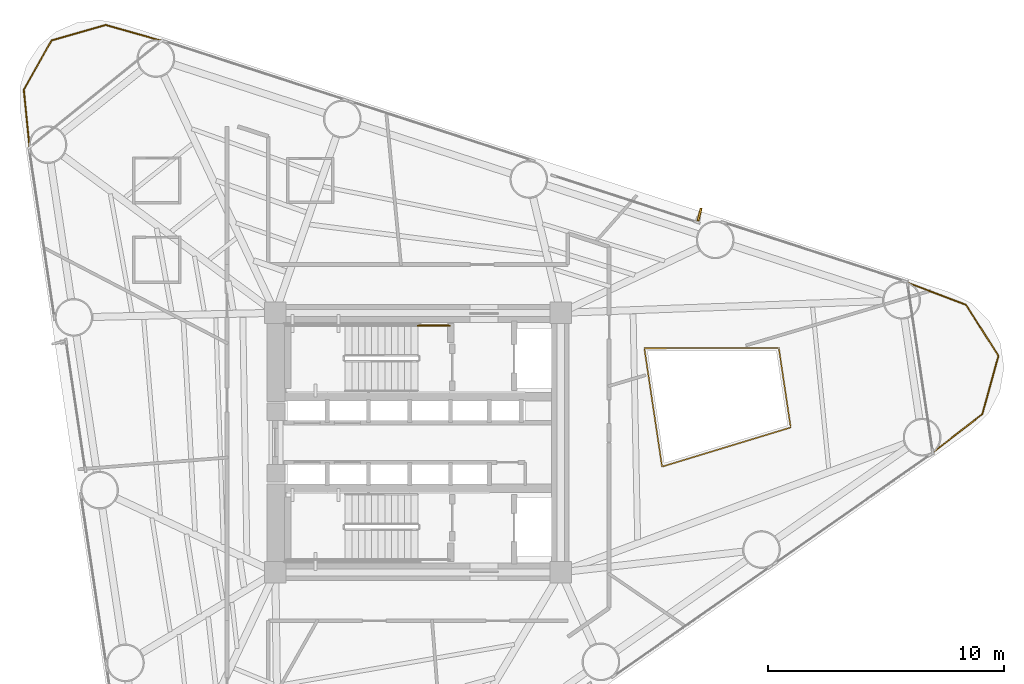
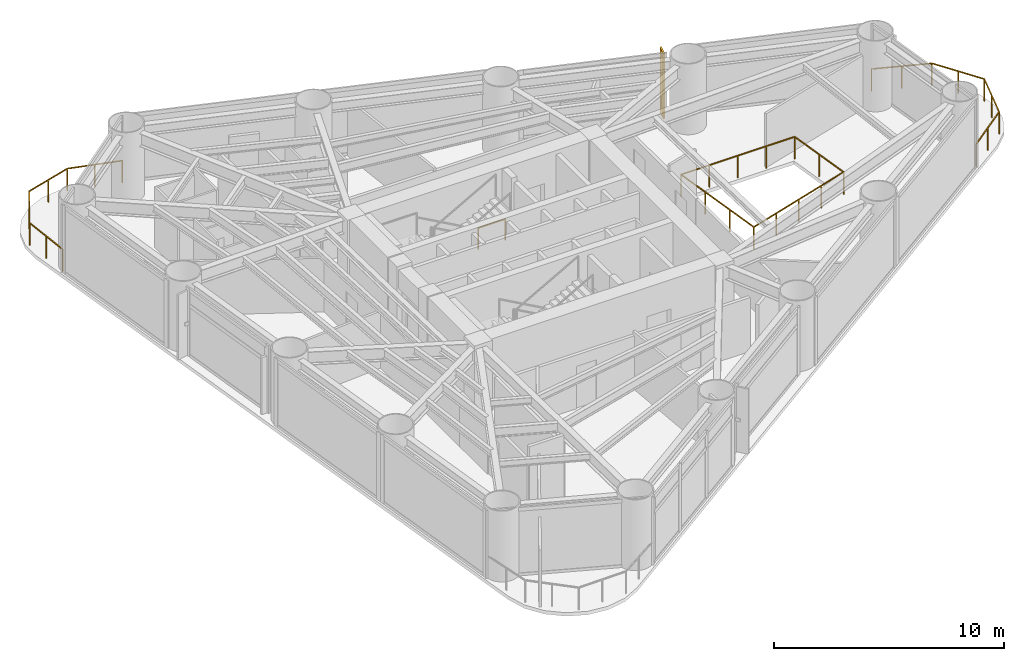
# One storey, part 9 of 9: 4 railings, 1 shading device.
"""IFC4 building model written with IfcOpenShell, lengths in metres."""

from ifc_helpers import new_model, si_unit, direction, frame, origin, origin_2d, place, context, subcontext, project, spatial, rectangle, extrude, source, transform, mapped, material, material_profile, profile_set, type_object, element, save


model = new_model("IFC4")

# Units and contexts
model_context = context("Model", 3, precision=1e-05, world=origin(), true_north=direction((0.0, 1.0)))
body_context = subcontext(model_context, "Body", "Model", "MODEL_VIEW")
ifc_project = project(units=[si_unit("LENGTHUNIT", "METRE"), si_unit("AREAUNIT", "SQUARE_METRE"), si_unit("VOLUMEUNIT", "CUBIC_METRE"), si_unit("PLANEANGLEUNIT", "RADIAN"), si_unit("MASSUNIT", "GRAM", prefix="KILO")], contexts=[model_context])

# Site, building, storey
site_placement = place(None, origin())
site = spatial("IfcSite", under=ifc_project, at=site_placement, CompositionType="ELEMENT")
building_placement = place(site_placement, origin())
building = spatial("IfcBuilding", under=site, at=building_placement, Name="Yunling Apex Tower", CompositionType="ELEMENT")
storey_placement = place(building_placement, frame((0.0, 0.0, 69.800048828125)))
storey = spatial("IfcBuildingStorey", under=building, at=storey_placement, Name="L18", CompositionType="ELEMENT", Elevation=69.800048828125)

# Railings
ifc_material_1 = material(Name="Bronze anodised aluminium", Category="aluminium")
railing_type_1 = type_object("IfcRailingType", Name="RL-BAL-1200", PredefinedType="BALUSTRADE", material=ifc_material_1)
railing_1_placement = place(storey_placement, frame((20.747314453125, 6.783935546875, 0.0)))
element("IfcRailing", 1, at=railing_1_placement, inside=storey, type_object=railing_type_1, Name="RL-CRNSILL-L18-1", PredefinedType="BALUSTRADE", context=body_context, shape_type="SweptSolid", body=[
    extrude(rectangle(XDim=0.0439453125, YDim=0.0439453125, at=origin_2d()), origin(), (0.0, 0.0, 1.0), 1.199951171875),
    extrude(rectangle(XDim=0.0439453125, YDim=0.0439453125, at=origin_2d()), frame((2.481689453125, -0.941650390625, 0.0)), (0.0, 0.0, 1.0), 1.199951171875),
    extrude(rectangle(XDim=0.050048828125, YDim=0.050048828125, at=origin_2d()), frame((0.035888671875, -0.013671875, 1.1748046875), z_axis=(0.934957554838, -0.354759595574, 0.0), x_axis=(0.354759595574, 0.934957554838, 0.0)), (0.0, 0.0, 1.0), 2.57763671875),
    extrude(rectangle(XDim=0.0439453125, YDim=0.0439453125, at=origin_2d()), frame((1.24072265625, -0.470703125, 0.0)), (0.0, 0.0, 1.0), 1.14599609375),
    extrude(rectangle(XDim=0.0439453125, YDim=0.0439453125, at=origin_2d()), frame((3.859375, -3.1064453125, 0.0)), (0.0, 0.0, 1.0), 1.199951171875),
    extrude(rectangle(XDim=0.050048828125, YDim=0.050048828125, at=origin_2d()), frame((2.502197265625, -0.973876953125, 1.1748046875), z_axis=(0.536900117586, -0.843645816523, 0.0), x_axis=(0.843645816523, 0.536900117586, 0.0)), (0.0, 0.0, 1.0), 2.4892578125),
    extrude(rectangle(XDim=0.0439453125, YDim=0.0439453125, at=origin_2d()), frame((3.17041015625, -2.02392578125, 0.0)), (0.0, 0.0, 1.0), 1.14599609375),
    extrude(rectangle(XDim=0.0439453125, YDim=0.0439453125, at=origin_2d()), frame((3.174560546875, -5.579345703125, 0.0)), (0.0, 0.0, 1.0), 1.199951171875),
    extrude(rectangle(XDim=0.050048828125, YDim=0.050048828125, at=origin_2d()), frame((3.84912109375, -3.143310546875, 1.1748046875), z_axis=(-0.26688316154, -0.963728892421, 0.0), x_axis=(0.963728892421, -0.26688316154, 0.0)), (0.0, 0.0, 1.0), 2.4892578125),
    extrude(rectangle(XDim=0.0439453125, YDim=0.0439453125, at=origin_2d()), frame((3.51708984375, -4.3427734375, 0.0)), (0.0, 0.0, 1.0), 1.14599609375),
    extrude(rectangle(XDim=0.0439453125, YDim=0.0439453125, at=origin_2d()), frame((1.07666015625, -7.20556640625, 0.0)), (0.0, 0.0, 1.0), 1.199951171875),
    extrude(rectangle(XDim=0.050048828125, YDim=0.050048828125, at=origin_2d()), frame((3.144287109375, -5.602783203125, 1.1748046875), z_axis=(-0.79035158758, -0.612653546476, 0.0), x_axis=(0.612653546476, -0.79035158758, 0.0)), (0.0, 0.0, 1.0), 2.57763671875),
    extrude(rectangle(XDim=0.0439453125, YDim=0.0439453125, at=origin_2d()), frame((2.12548828125, -6.392578125, 0.0)), (0.0, 0.0, 1.0), 1.14599609375),
])
railing_2_placement = place(storey_placement, frame((-16.470458984375, 12.5126953125, 0.0)))
element("IfcRailing", 2, at=railing_2_placement, inside=storey, type_object=railing_type_1, Name="RL-CRNSILL-L18-2", PredefinedType="BALUSTRADE", context=body_context, shape_type="SweptSolid", body=[
    extrude(rectangle(XDim=0.0439453125, YDim=0.0439453125, at=origin_2d()), origin(), (0.0, 0.0, 1.0), 1.199951171875),
    extrude(rectangle(XDim=0.0439453125, YDim=0.0439453125, at=origin_2d()), frame((-0.244140625, 2.449462890625, 0.0)), (0.0, 0.0, 1.0), 1.199951171875),
    extrude(rectangle(XDim=0.050048828125, YDim=0.050048828125, at=origin_2d()), frame((-0.00390625, 0.0380859375, 1.1748046875), z_axis=(-0.099179661385, 0.995069542679, 0.0), x_axis=(-0.995069542679, -0.099179661385, 0.0)), (0.0, 0.0, 1.0), 2.385009765625),
    extrude(rectangle(XDim=0.0439453125, YDim=0.0439453125, at=origin_2d()), frame((-0.1220703125, 1.224609375, 0.0)), (0.0, 0.0, 1.0), 1.14599609375),
    extrude(rectangle(XDim=0.0439453125, YDim=0.0439453125, at=origin_2d()), frame((0.935302734375, 4.534912109375, 0.0)), (0.0, 0.0, 1.0), 1.199951171875),
    extrude(rectangle(XDim=0.050048828125, YDim=0.050048828125, at=origin_2d()), frame((-0.225341796875, 2.48291015625, 1.1748046875), z_axis=(0.492282210089, 0.87043565278, 0.0), x_axis=(-0.87043565278, 0.492282210089, 0.0)), (0.0, 0.0, 1.0), 2.319091796875),
    extrude(rectangle(XDim=0.0439453125, YDim=0.0439453125, at=origin_2d()), frame((0.345703125, 3.4921875, 0.0)), (0.0, 0.0, 1.0), 1.14599609375),
    extrude(rectangle(XDim=0.0439453125, YDim=0.0439453125, at=origin_2d()), frame((3.231201171875, 5.19189453125, 0.0)), (0.0, 0.0, 1.0), 1.199951171875),
    extrude(rectangle(XDim=0.050048828125, YDim=0.050048828125, at=origin_2d()), frame((0.97216796875, 4.54541015625, 1.1748046875), z_axis=(0.961411988788, 0.275112682032, 0.0), x_axis=(-0.275112682032, 0.961411988788, 0.0)), (0.0, 0.0, 1.0), 2.311279296875),
    extrude(rectangle(XDim=0.0439453125, YDim=0.0439453125, at=origin_2d()), frame((2.083251953125, 4.86328125, 0.0)), (0.0, 0.0, 1.0), 1.14599609375),
    extrude(rectangle(XDim=0.0439453125, YDim=0.0439453125, at=origin_2d()), frame((5.60009765625, 4.52001953125, 0.0)), (0.0, 0.0, 1.0), 1.199951171875),
    extrude(rectangle(XDim=0.050048828125, YDim=0.050048828125, at=origin_2d()), frame((3.26806640625, 5.181396484375, 1.1748046875), z_axis=(0.962053444414, -0.272861082039, 0.0), x_axis=(0.272861082039, 0.962053444414, 0.0)), (0.0, 0.0, 1.0), 2.3857421875),
    extrude(rectangle(XDim=0.0439453125, YDim=0.0439453125, at=origin_2d()), frame((4.41552734375, 4.85595703125, 0.0)), (0.0, 0.0, 1.0), 1.14599609375),
])
railing_3_placement = place(storey_placement, frame((9.593994140625, 4.001220703125, 0.0)))
element("IfcRailing", 3, at=railing_3_placement, inside=storey, type_object=railing_type_1, Name="RL-TATR-L18", PredefinedType="BALUSTRADE", context=body_context, shape_type="SweptSolid", body=[
    extrude(rectangle(XDim=0.0439453125, YDim=0.0439453125, at=origin_2d()), origin(), (0.0, 0.0, 1.0), 1.199951171875),
    extrude(rectangle(XDim=0.0439453125, YDim=0.0439453125, at=origin_2d()), frame((5.70166015625, 0.007080078125, 0.0)), (0.0, 0.0, 1.0), 1.199951171875),
    extrude(rectangle(XDim=0.050048828125, YDim=0.050048828125, at=origin_2d()), frame((0.038330078125, 0.0, 1.1748046875), z_axis=(0.99999922902, 0.001241756343, 0.0), x_axis=(-0.001241756343, 0.99999922902, 0.0)), (0.0, 0.0, 1.0), 5.625),
    extrude(rectangle(XDim=0.0439453125, YDim=0.0439453125, at=origin_2d()), frame((1.42529296875, 0.001708984375, 0.0)), (0.0, 0.0, 1.0), 1.14599609375),
    extrude(rectangle(XDim=0.0439453125, YDim=0.0439453125, at=origin_2d()), frame((2.850830078125, 0.00341796875, 0.0)), (0.0, 0.0, 1.0), 1.14599609375),
    extrude(rectangle(XDim=0.0439453125, YDim=0.0439453125, at=origin_2d()), frame((4.2763671875, 0.00537109375, 0.0)), (0.0, 0.0, 1.0), 1.14599609375),
    extrude(rectangle(XDim=0.0439453125, YDim=0.0439453125, at=origin_2d()), frame((6.205078125, -3.362548828125, 0.0)), (0.0, 0.0, 1.0), 1.199951171875),
    extrude(rectangle(XDim=0.050048828125, YDim=0.050048828125, at=origin_2d()), frame((5.707275390625, -0.03076171875, 1.1748046875), z_axis=(0.147758753696, -0.98902343284, 0.0), x_axis=(0.98902343284, 0.147758753696, 0.0)), (0.0, 0.0, 1.0), 3.330322265625),
    extrude(rectangle(XDim=0.0439453125, YDim=0.0439453125, at=origin_2d()), frame((5.953369140625, -1.677734375, 0.0)), (0.0, 0.0, 1.0), 1.14599609375),
    extrude(rectangle(XDim=0.0439453125, YDim=0.0439453125, at=origin_2d()), frame((0.75048828125, -5.0224609375, 0.0)), (0.0, 0.0, 1.0), 1.199951171875),
    extrude(rectangle(XDim=0.050048828125, YDim=0.050048828125, at=origin_2d()), frame((6.16845703125, -3.373779296875, 1.1748046875), z_axis=(-0.956682695857, -0.291132649231, 0.0), x_axis=(0.291132649231, -0.956682695857, 0.0)), (0.0, 0.0, 1.0), 5.625),
    extrude(rectangle(XDim=0.0439453125, YDim=0.0439453125, at=origin_2d()), frame((4.84130859375, -3.777587890625, 0.0)), (0.0, 0.0, 1.0), 1.14599609375),
    extrude(rectangle(XDim=0.0439453125, YDim=0.0439453125, at=origin_2d()), frame((3.477783203125, -4.1923828125, 0.0)), (0.0, 0.0, 1.0), 1.14599609375),
    extrude(rectangle(XDim=0.0439453125, YDim=0.0439453125, at=origin_2d()), frame((2.1142578125, -4.607421875, 0.0)), (0.0, 0.0, 1.0), 1.14599609375),
    extrude(rectangle(XDim=0.050048828125, YDim=0.050048828125, at=origin_2d()), frame((0.744873046875, -4.984619140625, 1.1748046875), z_axis=(-0.147785616119, 0.989019419257, 0.0), x_axis=(-0.989019419257, -0.147785616119, 0.0)), (0.0, 0.0, 1.0), 5.00146484375),
    extrude(rectangle(XDim=0.0439453125, YDim=0.0439453125, at=origin_2d()), frame((0.500244140625, -3.348388671875, 0.0)), (0.0, 0.0, 1.0), 1.14599609375),
    extrude(rectangle(XDim=0.0439453125, YDim=0.0439453125, at=origin_2d()), frame((0.250244140625, -1.674072265625, 0.0)), (0.0, 0.0, 1.0), 1.14599609375),
])
ifc_material_2 = material(Name="Steel Q355B", Category="steel")
railing_type_2 = type_object("IfcRailingType", Name="RL-GRD-1150", PredefinedType="GUARDRAIL", material=ifc_material_2)
railing_4_placement = place(storey_placement, frame((1.35009765625, 4.9599609375, 0.0)))
element("IfcRailing", 4, at=railing_4_placement, inside=storey, type_object=railing_type_2, Name="L18 ST-1 stair guard 6", PredefinedType="GUARDRAIL", context=body_context, shape_type="SweptSolid", body=[
    extrude(rectangle(XDim=0.0439453125, YDim=0.0439453125, at=origin_2d()), origin(), (0.0, 0.0, 1.0), 1.14990234375),
    extrude(rectangle(XDim=0.0439453125, YDim=0.0439453125, at=origin_2d()), frame((-1.360107421875, 0.0, 0.0)), (0.0, 0.0, 1.0), 1.14990234375),
    extrude(rectangle(XDim=0.050048828125, YDim=0.050048828125, at=origin_2d()), frame((-0.038330078125, 0.0, 1.125), z_axis=(-1.0, 0.0, 0.0), x_axis=(0.0, -1.0, 0.0)), (0.0, 0.0, 1.0), 1.283447265625),
])

# Shading device
ifc_material_profile = material_profile(ifc_material_1, rectangle(XDim=0.0849609375, YDim=0.550048828125, at=origin_2d()))
ifc_profile_set = profile_set([ifc_material_profile], Name="Bronze anodised aluminium")
shading_device_type = type_object("IfcShadingDeviceType", Name="FN-BRZ-3", PredefinedType="USERDEFINED", material=ifc_profile_set)
shared_shape = source(origin(), body_context, "Body", "SweptSolid", [
    extrude(rectangle(XDim=0.0849609375, YDim=0.550048828125, at=origin_2d()), origin(), (0.0, 0.0, 1.0), 3.445068359375),
])
shading_device_placement = place(storey_placement, frame((11.934814453125, 9.666748046875, 0.06005859375), z_axis=(0.0, 0.0, 1.0), x_axis=(-0.969402520914, 0.245476582274, 0.0)))
element("IfcShadingDevice", 5, at=shading_device_placement, inside=storey, type_object=shading_device_type, Name="CW-L18-F2-B2-FIN-01", ObjectType="FIN", PredefinedType="USERDEFINED", context=body_context, shape_type="MappedRepresentation", body=[
    mapped(shared_shape, transform((0.0, 0.0, 0.0), scale=1.0)),
])

save(model, "model.ifc")
